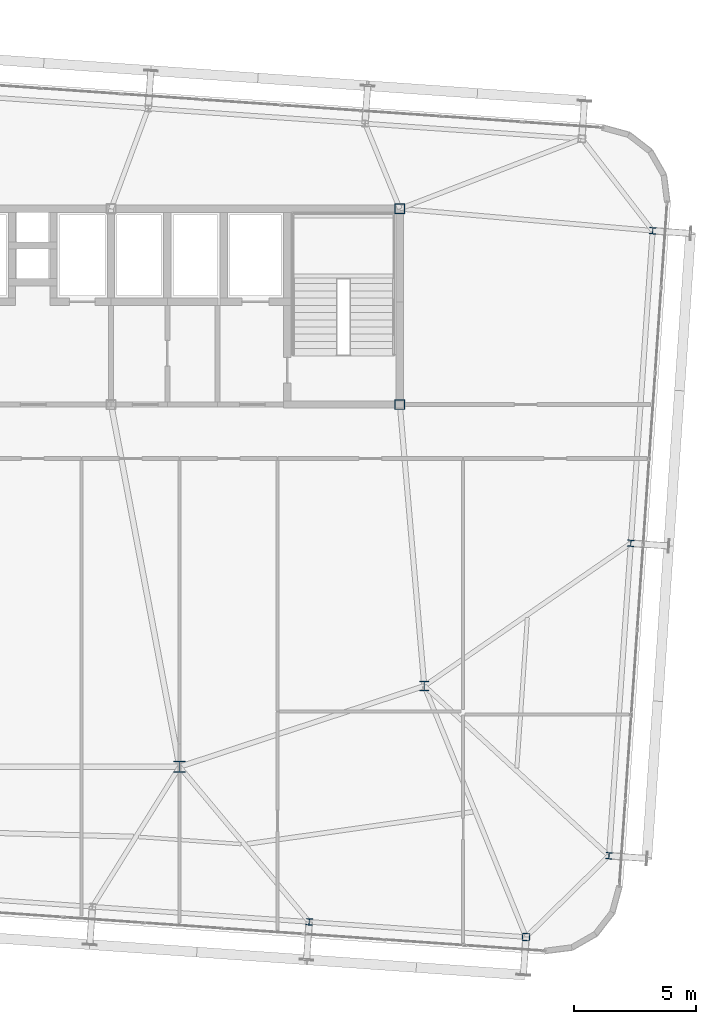
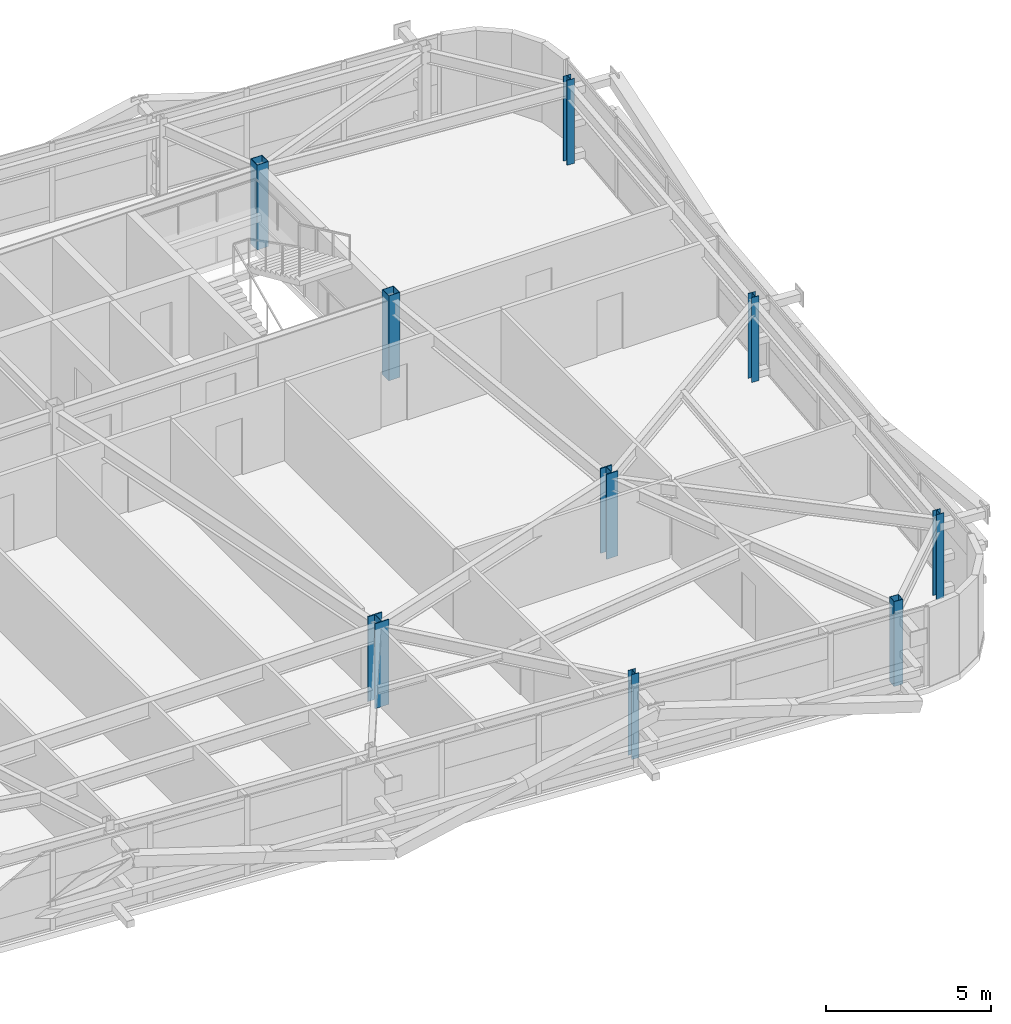
# One storey, part 3 of 47: 9 columns.
"""IFC4 building model written with IfcOpenShell, lengths in metres."""

from ifc_helpers import new_model, si_unit, direction, frame, origin, origin_2d, place, context, subcontext, project, spatial, hollow_rectangle, i_section, extrude, source, transform, mapped, material, material_profile, profile_set, type_object, element, save


model = new_model("IFC4")

# Units and contexts
model_context = context("Model", 3, precision=1e-05, world=origin(), true_north=direction((0.0, 1.0)))
body_context = subcontext(model_context, "Body", "Model", "MODEL_VIEW")
ifc_project = project(units=[si_unit("LENGTHUNIT", "METRE"), si_unit("AREAUNIT", "SQUARE_METRE"), si_unit("VOLUMEUNIT", "CUBIC_METRE"), si_unit("PLANEANGLEUNIT", "RADIAN"), si_unit("MASSUNIT", "GRAM", prefix="KILO")], contexts=[model_context])

# Site, building, storey
site_placement = place(None, origin())
site = spatial("IfcSite", under=ifc_project, at=site_placement, CompositionType="ELEMENT")
building_placement = place(site_placement, origin())
building = spatial("IfcBuilding", under=site, at=building_placement, Name="Taldren Reach Tower", CompositionType="ELEMENT")
storey_placement = place(building_placement, frame((0.0, 0.0, 142.449951171875)))
storey = spatial("IfcBuildingStorey", under=building, at=storey_placement, Name="L43", CompositionType="ELEMENT", Elevation=142.449951171875)

# Columns
ifc_material_1 = material(Name="Steel Gr 350 (350PLUS)", Category="steel")
ifc_material_profile_1 = material_profile(ifc_material_1, i_section(OverallWidth=0.39990234375, OverallDepth=0.39599609375, WebThickness=0.02197265625, FlangeThickness=0.033935546875, at=origin_2d()), Name="400WC270")
ifc_profile_set_1 = profile_set([ifc_material_profile_1], Name="Steel Gr 350 (350PLUS)")
column_type_1 = type_object("IfcColumnType", Name="COL-WC400", PredefinedType="COLUMN", material=ifc_profile_set_1)
shared_shape_1 = source(origin(), body_context, "Body", "SweptSolid", [
    extrude(i_section(OverallWidth=0.39990234375, OverallDepth=0.39599609375, WebThickness=0.02197265625, FlangeThickness=0.033935546875, at=origin_2d()), origin(), (0.0, 0.0, 1.0), 3.150146484375),
])
column_1_placement = place(storey_placement, frame((52.0, 12.5, 0.0), z_axis=(0.0, 0.0, 1.0), x_axis=(1.0, 0.0, 0.0)))
element("IfcColumn", 1, at=column_1_placement, inside=storey, type_object=column_type_1, Name="Mega column MC-SE L43", PredefinedType="COLUMN", context=body_context, shape_type="MappedRepresentation", body=[
    mapped(shared_shape_1, transform((0.0, 0.0, 0.0), scale=1.0)),
])
ifc_material_profile_2 = material_profile(ifc_material_1, i_section(OverallWidth=0.5, OverallDepth=0.464111328125, WebThickness=0.02197265625, FlangeThickness=0.033935546875, at=origin_2d()), Name="500WC340")
ifc_profile_set_2 = profile_set([ifc_material_profile_2], Name="Steel Gr 350 (350PLUS)")
column_type_2 = type_object("IfcColumnType", Name="COL-WC500B", PredefinedType="COLUMN", material=ifc_profile_set_2)
shared_shape_2 = source(origin(), body_context, "Body", "SweptSolid", [
    extrude(i_section(OverallWidth=0.5, OverallDepth=0.464111328125, WebThickness=0.02197265625, FlangeThickness=0.033935546875, at=origin_2d()), origin(), (0.0, 0.0, 1.0), 3.150146484375),
])
column_2_placement = place(storey_placement, frame((42.0, 9.199951171875, 0.0), z_axis=(0.0, 0.0, 1.0), x_axis=(1.0, 0.0, 0.0)))
element("IfcColumn", 2, at=column_2_placement, inside=storey, type_object=column_type_2, Name="Mega column MC-PJE L43", PredefinedType="COLUMN", context=body_context, shape_type="MappedRepresentation", body=[
    mapped(shared_shape_2, transform((0.0, 0.0, 0.0), scale=1.0)),
])
ifc_material_2 = material(Name="Steel Gr 450 (C450L0)", Category="steel")
ifc_material_profile_3 = material_profile(ifc_material_2, hollow_rectangle(XDim=0.39990234375, YDim=0.39990234375, WallThickness=0.01611328125, at=origin_2d()), Name="400x400x16.0SHS")
ifc_profile_set_3 = profile_set([ifc_material_profile_3], Name="Steel Gr 450 (C450L0)")
column_type_3 = type_object("IfcColumnType", Name="COL-SHS400", PredefinedType="COLUMN", material=ifc_profile_set_3)
shared_shape_3 = source(origin(), body_context, "Body", "SweptSolid", [
    extrude(hollow_rectangle(XDim=0.39990234375, YDim=0.39990234375, WallThickness=0.01611328125, at=origin_2d()), origin(), (0.0, 0.0, 1.0), 3.150146484375),
])
for number, where, z_axis, x_axis, name in (
    (3, (51.0, 24.0, 0.0), (0.0, 0.0, 1.0), (1.0, 0.0, 0.0), "Mega column MC-C4 L43"),
    (4, (51.0, 32.0, 0.0), (0.0, 0.0, 1.0), (1.0, 0.0, 0.0), "Mega column MC-C8 L43"),
):
    element("IfcColumn", number, at=place(storey_placement, frame(where, z_axis=z_axis, x_axis=x_axis)), inside=storey, type_object=column_type_3, Name=name, PredefinedType="COLUMN", context=body_context, shape_type="MappedRepresentation", body=[
        mapped(shared_shape_3, transform((0.0, 0.0, 0.0), scale=1.0)),
    ])
ifc_material_profile_4 = material_profile(ifc_material_2, hollow_rectangle(XDim=0.300048828125, YDim=0.300048828125, WallThickness=0.012451171875, at=origin_2d()), Name="300x300x12.5SHS")
ifc_profile_set_4 = profile_set([ifc_material_profile_4], Name="Steel Gr 450 (C450L0)")
column_type_4 = type_object("IfcColumnType", Name="COL-SHS300", PredefinedType="COLUMN", material=ifc_profile_set_4)
shared_shape_4 = source(origin(), body_context, "Body", "SweptSolid", [
    extrude(hollow_rectangle(XDim=0.300048828125, YDim=0.300048828125, WallThickness=0.012451171875, at=origin_2d()), origin(), (0.0, 0.0, 1.0), 3.150146484375),
])
column_3_placement = place(storey_placement, frame((56.155517578125, 2.2412109375, 0.0), z_axis=(0.0, 0.0, 1.0), x_axis=(0.99756405026, -0.069756473744, 0.0)))
element("IfcColumn", 5, at=column_3_placement, inside=storey, type_object=column_type_4, Name="Block B3 perimeter column S6 L43", PredefinedType="COLUMN", context=body_context, shape_type="MappedRepresentation", body=[
    mapped(shared_shape_4, transform((0.0, 0.0, 0.0), scale=1.0)),
])
ifc_material_profile_5 = material_profile(ifc_material_1, i_section(OverallWidth=0.256103515625, OverallDepth=0.260009765625, WebThickness=0.010498046875, FlangeThickness=0.017333984375, at=origin_2d()), Name="250UC89.5")
ifc_profile_set_5 = profile_set([ifc_material_profile_5], Name="Steel Gr 350 (350PLUS)")
column_type_5 = type_object("IfcColumnType", Name="COL-UC250", PredefinedType="COLUMN", material=ifc_profile_set_5)
shared_shape_5 = source(origin(), body_context, "Body", "SweptSolid", [
    extrude(i_section(OverallWidth=0.256103515625, OverallDepth=0.260009765625, WebThickness=0.010498046875, FlangeThickness=0.017333984375, at=origin_2d()), origin(), (0.0, 0.0, 1.0), 3.150146484375),
])
for number, where, z_axis, x_axis, name in (
    (6, (47.297119140625, 2.860595703125, 0.0), (0.0, 0.0, 1.0), (0.99756405026, -0.069756473744, 0.0), "Block B3 perimeter column S5 L43"),
    (7, (59.54541015625, 5.562744140625, 0.0), (0.0, 0.0, 1.0), (0.99756405026, -0.069756473744, 0.0), "Block B3 perimeter column E1 L43"),
    (8, (60.438232421875, 18.331787109375, 0.0), (0.0, 0.0, 1.0), (0.99756405026, -0.069756473744, 0.0), "Block B3 perimeter column E2 L43"),
    (9, (61.3310546875, 31.1005859375, 0.0), (0.0, 0.0, 1.0), (0.99756405026, -0.069756473744, 0.0), "Block B3 perimeter column E3 L43"),
):
    element("IfcColumn", number, at=place(storey_placement, frame(where, z_axis=z_axis, x_axis=x_axis)), inside=storey, type_object=column_type_5, Name=name, PredefinedType="COLUMN", context=body_context, shape_type="MappedRepresentation", body=[
        mapped(shared_shape_5, transform((0.0, 0.0, 0.0), scale=1.0)),
    ])

save(model, "model.ifc")
